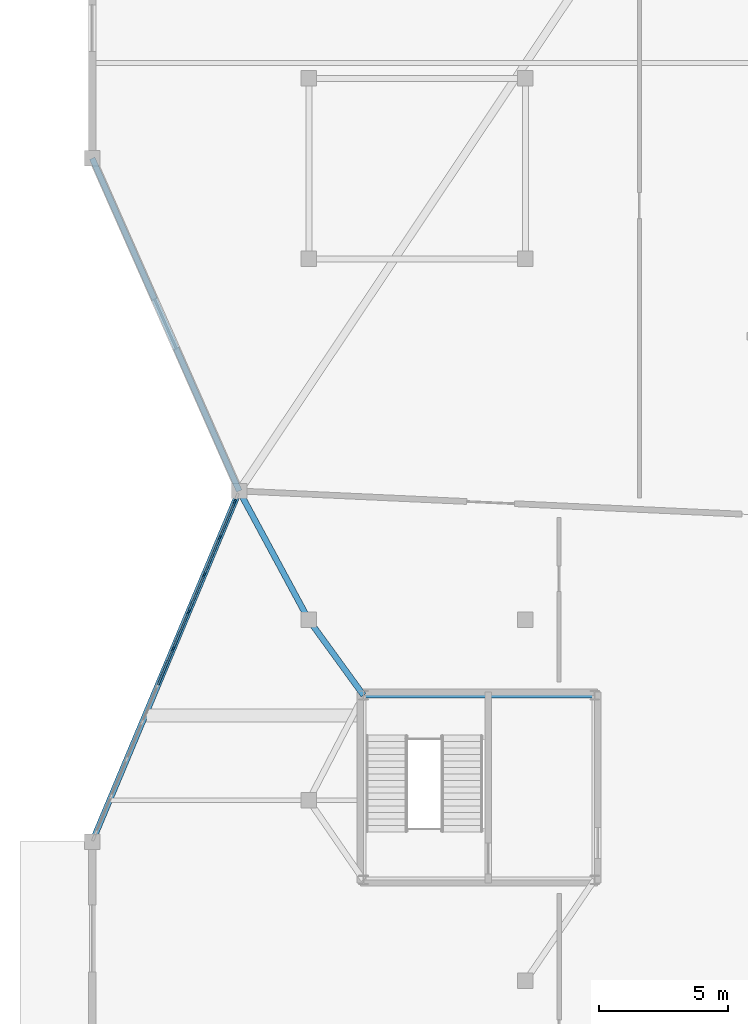
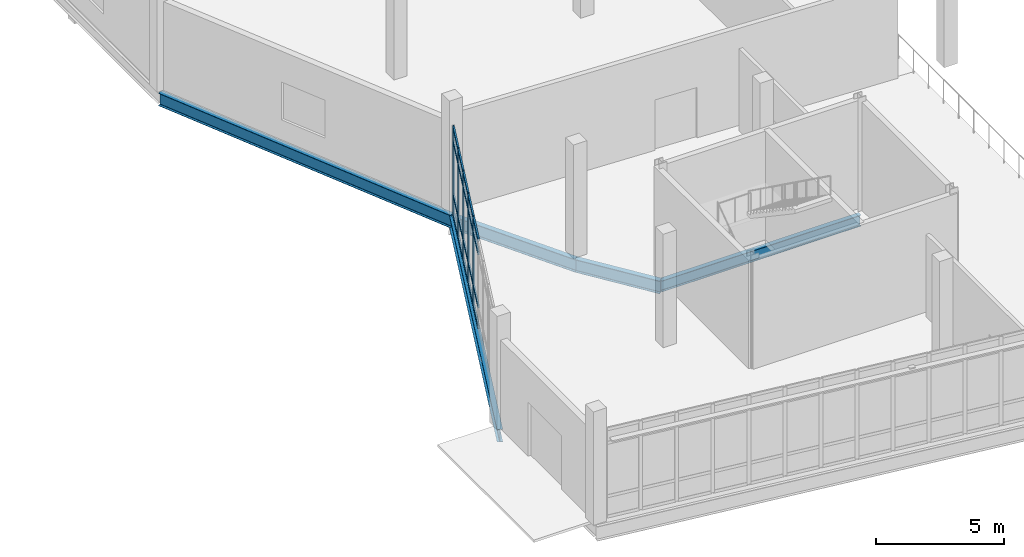
# One storey, part 45 of 113: 25 members, 5 beams, 1 element without a shape of its own.
"""IFC4 building model written with IfcOpenShell, lengths in metres."""

from ifc_helpers import new_model, si_unit, direction, frame, origin, origin_2d, place, context, subcontext, project, spatial, rectangle, i_section, extrude, material, material_profile, profile_set, type_object, element, aggregate, save


model = new_model("IFC4")

# Units and contexts
model_context = context("Model", 3, precision=1e-05, world=origin(), true_north=direction((0.0, 1.0)))
body_context = subcontext(model_context, "Body", "Model", "MODEL_VIEW")
ifc_project = project(units=[si_unit("LENGTHUNIT", "METRE"), si_unit("AREAUNIT", "SQUARE_METRE"), si_unit("VOLUMEUNIT", "CUBIC_METRE"), si_unit("PLANEANGLEUNIT", "RADIAN"), si_unit("MASSUNIT", "GRAM", prefix="KILO")], contexts=[model_context])

# Site, building, storey
site_placement = place(None, origin())
site = spatial("IfcSite", under=ifc_project, at=site_placement, CompositionType="ELEMENT")
building_placement = place(site_placement, origin())
building = spatial("IfcBuilding", under=site, at=building_placement, Name="Tameran Prism Museum", CompositionType="ELEMENT")
storey_placement = place(building_placement, origin())
storey = spatial("IfcBuildingStorey", under=building, at=storey_placement, Name="L00", CompositionType="ELEMENT", Elevation=0.0)

# Beams
ifc_material_1 = material(Name="Steel Grade 300PLUS (300 MPa)", Category="steel")
ifc_material_profile_1 = material_profile(ifc_material_1, i_section(OverallWidth=0.208984375, OverallDepth=0.528076171875, WebThickness=0.009521484375, FlangeThickness=0.01318359375, FilletRadius=0.013916015625, at=origin_2d()))
ifc_profile_set_1 = profile_set([ifc_material_profile_1])
beam_type_1 = type_object("IfcBeamType", Name="BM-SP530B", PredefinedType="SPANDREL", material=ifc_profile_set_1)
beam_1_placement = place(storey_placement, frame((19.47998046875, 81.080078125, -0.52392578125), z_axis=(-1.0, 0.0, 0.0), x_axis=(0.0, -1.0, 0.0)))
element("IfcBeam", 1, at=beam_1_placement, inside=storey, type_object=beam_type_1, Name="Core Ring Beam CTB-0136", PredefinedType="SPANDREL", context=body_context, shape_type="SweptSolid", body=[
    extrude(i_section(OverallWidth=0.208984375, OverallDepth=0.528076171875, WebThickness=0.009521484375, FlangeThickness=0.01318359375, FilletRadius=0.013916015625, at=origin_2d()), origin(), (0.0, 0.0, 1.0), 8.9599609375),
])
ifc_material_2 = material(Name="Steel Grade 300PLUS (300 MPa)", Category="steel")
ifc_material_profile_2 = material_profile(ifc_material_2, i_section(OverallWidth=0.22802734375, OverallDepth=0.60205078125, WebThickness=0.010498046875, FlangeThickness=0.014892578125, FilletRadius=0.013916015625, at=origin_2d()))
ifc_profile_set_2 = profile_set([ifc_material_profile_2])
beam_type_2 = type_object("IfcBeamType", Name="BM-SP610", PredefinedType="SPANDREL", material=ifc_profile_set_2)
beam_2_placement = place(storey_placement, frame((5.699951171875, 89.0, -0.56103515625), z_axis=(-0.386535452216, -0.922274549242, 0.0), x_axis=(0.922274549242, -0.386535452216, 0.0)))
element("IfcBeam", 2, at=beam_2_placement, inside=storey, type_object=beam_type_2, Name="Perimeter Spandrel SP-0089", PredefinedType="SPANDREL", context=body_context, shape_type="SweptSolid", body=[
    extrude(i_section(OverallWidth=0.22802734375, OverallDepth=0.60205078125, WebThickness=0.010498046875, FlangeThickness=0.014892578125, FilletRadius=0.013916015625, at=origin_2d()), origin(), (0.0, 0.0, 1.0), 14.746337890625),
])
beam_3_placement = place(storey_placement, frame((0.0, 101.89990234375, -0.56103515625), z_axis=(0.404163511498, -0.914686752924, 0.0), x_axis=(0.914686752924, 0.404163511498, 0.0)))
element("IfcBeam", 3, at=beam_3_placement, inside=storey, type_object=beam_type_2, Name="Perimeter Spandrel SP-0093", PredefinedType="SPANDREL", context=body_context, shape_type="SweptSolid", body=[
    extrude(i_section(OverallWidth=0.22802734375, OverallDepth=0.60205078125, WebThickness=0.010498046875, FlangeThickness=0.014892578125, FilletRadius=0.013916015625, at=origin_2d()), origin(), (0.0, 0.0, 1.0), 14.10302734375),
])
ifc_material_3 = material(Name="Steel Grade 300PLUS (300 MPa)", Category="steel")
ifc_material_profile_3 = material_profile(ifc_material_3, i_section(OverallWidth=0.22900390625, OverallDepth=0.612060546875, WebThickness=0.011962890625, FlangeThickness=0.01953125, FilletRadius=0.013916015625, at=origin_2d()))
ifc_profile_set_3 = profile_set([ifc_material_profile_3])
beam_type_3 = type_object("IfcBeamType", Name="BM-UB610A", PredefinedType="BEAM", material=ifc_profile_set_3)
beam_4_placement = place(storey_placement, frame((8.39990234375, 84.0, -0.56591796875), z_axis=(0.58754394492, -0.809192259471, 0.0), x_axis=(0.809192259471, 0.58754394492, 0.0)))
element("IfcBeam", 4, at=beam_4_placement, inside=storey, type_object=beam_type_3, Name="Frame Tie Girder FG-1349", PredefinedType="BEAM", context=body_context, shape_type="SweptSolid", body=[
    extrude(i_section(OverallWidth=0.22900390625, OverallDepth=0.612060546875, WebThickness=0.011962890625, FlangeThickness=0.01953125, FilletRadius=0.013916015625, at=origin_2d()), origin(), (0.0, 0.0, 1.0), 3.6083984375),
])
beam_5_placement = place(storey_placement, frame((8.39990234375, 84.0, -0.56591796875), z_axis=(-0.47514226184, 0.879908990188, 0.0), x_axis=(-0.879908990188, -0.47514226184, 0.0)))
element("IfcBeam", 5, at=beam_5_placement, inside=storey, type_object=beam_type_3, Name="Frame Tie Girder FG-1350", PredefinedType="BEAM", context=body_context, shape_type="SweptSolid", body=[
    extrude(i_section(OverallWidth=0.22900390625, OverallDepth=0.612060546875, WebThickness=0.011962890625, FlangeThickness=0.01953125, FilletRadius=0.013916015625, at=origin_2d()), origin(), (0.0, 0.0, 1.0), 5.682373046875),
])

# Curtain wall, members
ifc_material_4 = material(Name="Anodised Aluminium 6063-T6 and Cyclone Solar Glass", Category="aluminium")
curtain_wall_type = type_object("IfcCurtainWallType", Name="CW-FAC-1399x422", PredefinedType="USERDEFINED", material=ifc_material_4)
curtain_wall_placement = place(storey_placement, origin())
curtain_wall = element("IfcCurtainWall", 6, at=curtain_wall_placement, inside=storey, type_object=curtain_wall_type, Name="Unitised Curtain Wall CW-052", ObjectType="UNITISED CURTAIN WALL", PredefinedType="USERDEFINED")
ifc_material_5 = material(Name="Anodised Aluminium Alloy 6063-T6", Category="aluminium")
ifc_material_profile_4 = material_profile(ifc_material_5, rectangle(XDim=0.070068359375, YDim=0.179931640625, at=origin_2d()))
ifc_profile_set_4 = profile_set([ifc_material_profile_4])
member_type_1 = type_object("IfcMemberType", Name="CW-MUL-B", PredefinedType="MULLION", material=ifc_profile_set_4)
member_1_placement = place(storey_placement, frame((3.138916015625, 82.88916015625, 0.0), z_axis=(0.0, 0.0, 1.0), x_axis=(-0.922251949595, 0.386589370609, 0.0)))
member_1 = element("IfcMember", 7, at=member_1_placement, type_object=member_type_1, Name="CW-052 mullion 6", PredefinedType="MULLION", context=body_context, shape_type="SweptSolid", body=[
    extrude(rectangle(XDim=0.070068359375, YDim=0.179931640625, at=origin_2d()), origin(), (0.0, 0.0, 1.0), 4.219970703125),
])
member_2_placement = place(storey_placement, frame((3.73974609375, 84.322265625, 0.0), z_axis=(0.0, 0.0, 1.0), x_axis=(-0.922251949595, 0.386589370609, 0.0)))
member_2 = element("IfcMember", 8, at=member_2_placement, type_object=member_type_1, Name="CW-052 mullion 7", PredefinedType="MULLION", context=body_context, shape_type="SweptSolid", body=[
    extrude(rectangle(XDim=0.070068359375, YDim=0.179931640625, at=origin_2d()), origin(), (0.0, 0.0, 1.0), 4.219970703125),
])
member_3_placement = place(storey_placement, frame((4.34033203125, 85.755615234375, 0.0), z_axis=(0.0, 0.0, 1.0), x_axis=(-0.922251949595, 0.386589370609, 0.0)))
member_3 = element("IfcMember", 9, at=member_3_placement, type_object=member_type_1, Name="CW-052 mullion 8", PredefinedType="MULLION", context=body_context, shape_type="SweptSolid", body=[
    extrude(rectangle(XDim=0.070068359375, YDim=0.179931640625, at=origin_2d()), origin(), (0.0, 0.0, 1.0), 4.219970703125),
])
member_4_placement = place(storey_placement, frame((4.941162109375, 87.188720703125, 0.0), z_axis=(0.0, 0.0, 1.0), x_axis=(-0.922251949595, 0.386589370609, 0.0)))
member_4 = element("IfcMember", 10, at=member_4_placement, type_object=member_type_1, Name="CW-052 mullion 9", PredefinedType="MULLION", context=body_context, shape_type="SweptSolid", body=[
    extrude(rectangle(XDim=0.070068359375, YDim=0.179931640625, at=origin_2d()), origin(), (0.0, 0.0, 1.0), 4.219970703125),
])
member_5_placement = place(storey_placement, frame((5.528564453125, 88.589599609375, 0.0), z_axis=(0.0, 0.0, 1.0), x_axis=(-0.922251949595, 0.386589370609, 0.0)))
member_5 = element("IfcMember", 11, at=member_5_placement, type_object=member_type_1, Name="CW-052 mullion 10", PredefinedType="MULLION", context=body_context, shape_type="SweptSolid", body=[
    extrude(rectangle(XDim=0.070068359375, YDim=0.179931640625, at=origin_2d()), origin(), (0.0, 0.0, 1.0), 4.219970703125),
])
ifc_material_6 = material(Name="Anodised Aluminium Alloy 6063-T6", Category="aluminium")
ifc_material_profile_5 = material_profile(ifc_material_6, rectangle(XDim=0.070068359375, YDim=0.155029296875, at=origin_2d()))
ifc_profile_set_5 = profile_set([ifc_material_profile_5])
member_type_2 = type_object("IfcMemberType", Name="CW-TRN-B", PredefinedType="USERDEFINED", material=ifc_profile_set_5)
member_6_placement = place(storey_placement, frame((2.5517578125, 81.48828125, 0.034912109375), z_axis=(0.386460368686, 0.922306013986, 0.0), x_axis=(-0.922306013986, 0.386460368686, 0.0)))
member_6 = element("IfcMember", 12, at=member_6_placement, type_object=member_type_2, Name="CW-052 transom 5.1", ObjectType="TRANSOM", PredefinedType="USERDEFINED", context=body_context, shape_type="SweptSolid", body=[
    extrude(rectangle(XDim=0.070068359375, YDim=0.155029296875, at=origin_2d()), origin(), (0.0, 0.0, 1.0), 1.48388671875),
])
member_7_placement = place(storey_placement, frame((2.5517578125, 81.48828125, 1.0), z_axis=(0.386460368686, 0.922306013986, 0.0), x_axis=(-0.922306013986, 0.386460368686, 0.0)))
member_7 = element("IfcMember", 13, at=member_7_placement, type_object=member_type_2, Name="CW-052 transom 5.2", ObjectType="TRANSOM", PredefinedType="USERDEFINED", context=body_context, shape_type="SweptSolid", body=[
    extrude(rectangle(XDim=0.070068359375, YDim=0.155029296875, at=origin_2d()), origin(), (0.0, 0.0, 1.0), 1.48388671875),
])
member_8_placement = place(storey_placement, frame((2.5517578125, 81.48828125, 3.5400390625), z_axis=(0.386460368686, 0.922306013986, 0.0), x_axis=(-0.922306013986, 0.386460368686, 0.0)))
member_8 = element("IfcMember", 14, at=member_8_placement, type_object=member_type_2, Name="CW-052 transom 5.3", ObjectType="TRANSOM", PredefinedType="USERDEFINED", context=body_context, shape_type="SweptSolid", body=[
    extrude(rectangle(XDim=0.070068359375, YDim=0.155029296875, at=origin_2d()), origin(), (0.0, 0.0, 1.0), 1.48388671875),
])
member_9_placement = place(storey_placement, frame((2.5517578125, 81.48828125, 4.18505859375), z_axis=(0.386460368686, 0.922306013986, 0.0), x_axis=(-0.922306013986, 0.386460368686, 0.0)))
member_9 = element("IfcMember", 15, at=member_9_placement, type_object=member_type_2, Name="CW-052 transom 5.4", ObjectType="TRANSOM", PredefinedType="USERDEFINED", context=body_context, shape_type="SweptSolid", body=[
    extrude(rectangle(XDim=0.070068359375, YDim=0.155029296875, at=origin_2d()), origin(), (0.0, 0.0, 1.0), 1.48388671875),
])
member_10_placement = place(storey_placement, frame((3.15234375, 82.92138671875, 0.034912109375), z_axis=(0.386600305056, 0.92224736602, 0.0), x_axis=(-0.92224736602, 0.386600305056, 0.0)))
member_10 = element("IfcMember", 16, at=member_10_placement, type_object=member_type_2, Name="CW-052 transom 6.1", ObjectType="TRANSOM", PredefinedType="USERDEFINED", context=body_context, shape_type="SweptSolid", body=[
    extrude(rectangle(XDim=0.070068359375, YDim=0.155029296875, at=origin_2d()), origin(), (0.0, 0.0, 1.0), 1.484130859375),
])
member_11_placement = place(storey_placement, frame((3.15234375, 82.92138671875, 1.0), z_axis=(0.386600305056, 0.92224736602, 0.0), x_axis=(-0.92224736602, 0.386600305056, 0.0)))
member_11 = element("IfcMember", 17, at=member_11_placement, type_object=member_type_2, Name="CW-052 transom 6.2", ObjectType="TRANSOM", PredefinedType="USERDEFINED", context=body_context, shape_type="SweptSolid", body=[
    extrude(rectangle(XDim=0.070068359375, YDim=0.155029296875, at=origin_2d()), origin(), (0.0, 0.0, 1.0), 1.484130859375),
])
member_12_placement = place(storey_placement, frame((3.15234375, 82.92138671875, 3.5400390625), z_axis=(0.386600305056, 0.92224736602, 0.0), x_axis=(-0.92224736602, 0.386600305056, 0.0)))
member_12 = element("IfcMember", 18, at=member_12_placement, type_object=member_type_2, Name="CW-052 transom 6.3", ObjectType="TRANSOM", PredefinedType="USERDEFINED", context=body_context, shape_type="SweptSolid", body=[
    extrude(rectangle(XDim=0.070068359375, YDim=0.155029296875, at=origin_2d()), origin(), (0.0, 0.0, 1.0), 1.484130859375),
])
member_13_placement = place(storey_placement, frame((3.15234375, 82.92138671875, 4.18505859375), z_axis=(0.386600305056, 0.92224736602, 0.0), x_axis=(-0.92224736602, 0.386600305056, 0.0)))
member_13 = element("IfcMember", 19, at=member_13_placement, type_object=member_type_2, Name="CW-052 transom 6.4", ObjectType="TRANSOM", PredefinedType="USERDEFINED", context=body_context, shape_type="SweptSolid", body=[
    extrude(rectangle(XDim=0.070068359375, YDim=0.155029296875, at=origin_2d()), origin(), (0.0, 0.0, 1.0), 1.484130859375),
])
member_14_placement = place(storey_placement, frame((3.753173828125, 84.3544921875, 0.034912109375), z_axis=(0.38654165832, 0.922271948171, 0.0), x_axis=(-0.922271948171, 0.38654165832, 0.0)))
member_14 = element("IfcMember", 20, at=member_14_placement, type_object=member_type_2, Name="CW-052 transom 7.1", ObjectType="TRANSOM", PredefinedType="USERDEFINED", context=body_context, shape_type="SweptSolid", body=[
    extrude(rectangle(XDim=0.070068359375, YDim=0.155029296875, at=origin_2d()), origin(), (0.0, 0.0, 1.0), 1.484375),
])
member_15_placement = place(storey_placement, frame((3.753173828125, 84.3544921875, 1.0), z_axis=(0.38654165832, 0.922271948171, 0.0), x_axis=(-0.922271948171, 0.38654165832, 0.0)))
member_15 = element("IfcMember", 21, at=member_15_placement, type_object=member_type_2, Name="CW-052 transom 7.2", ObjectType="TRANSOM", PredefinedType="USERDEFINED", context=body_context, shape_type="SweptSolid", body=[
    extrude(rectangle(XDim=0.070068359375, YDim=0.155029296875, at=origin_2d()), origin(), (0.0, 0.0, 1.0), 1.484375),
])
member_16_placement = place(storey_placement, frame((3.753173828125, 84.3544921875, 3.5400390625), z_axis=(0.38654165832, 0.922271948171, 0.0), x_axis=(-0.922271948171, 0.38654165832, 0.0)))
member_16 = element("IfcMember", 22, at=member_16_placement, type_object=member_type_2, Name="CW-052 transom 7.3", ObjectType="TRANSOM", PredefinedType="USERDEFINED", context=body_context, shape_type="SweptSolid", body=[
    extrude(rectangle(XDim=0.070068359375, YDim=0.155029296875, at=origin_2d()), origin(), (0.0, 0.0, 1.0), 1.484375),
])
member_17_placement = place(storey_placement, frame((3.753173828125, 84.3544921875, 4.18505859375), z_axis=(0.38654165832, 0.922271948171, 0.0), x_axis=(-0.922271948171, 0.38654165832, 0.0)))
member_17 = element("IfcMember", 23, at=member_17_placement, type_object=member_type_2, Name="CW-052 transom 7.4", ObjectType="TRANSOM", PredefinedType="USERDEFINED", context=body_context, shape_type="SweptSolid", body=[
    extrude(rectangle(XDim=0.070068359375, YDim=0.155029296875, at=origin_2d()), origin(), (0.0, 0.0, 1.0), 1.484375),
])
member_18_placement = place(storey_placement, frame((4.35400390625, 85.787841796875, 0.034912109375), z_axis=(0.386600305056, 0.92224736602, 0.0), x_axis=(-0.92224736602, 0.386600305056, 0.0)))
member_18 = element("IfcMember", 24, at=member_18_placement, type_object=member_type_2, Name="CW-052 transom 8.1", ObjectType="TRANSOM", PredefinedType="USERDEFINED", context=body_context, shape_type="SweptSolid", body=[
    extrude(rectangle(XDim=0.070068359375, YDim=0.155029296875, at=origin_2d()), origin(), (0.0, 0.0, 1.0), 1.484130859375),
])
member_19_placement = place(storey_placement, frame((4.35400390625, 85.787841796875, 1.0), z_axis=(0.386600305056, 0.92224736602, 0.0), x_axis=(-0.92224736602, 0.386600305056, 0.0)))
member_19 = element("IfcMember", 25, at=member_19_placement, type_object=member_type_2, Name="CW-052 transom 8.2", ObjectType="TRANSOM", PredefinedType="USERDEFINED", context=body_context, shape_type="SweptSolid", body=[
    extrude(rectangle(XDim=0.070068359375, YDim=0.155029296875, at=origin_2d()), origin(), (0.0, 0.0, 1.0), 1.484130859375),
])
member_20_placement = place(storey_placement, frame((4.35400390625, 85.787841796875, 3.5400390625), z_axis=(0.386600305056, 0.92224736602, 0.0), x_axis=(-0.92224736602, 0.386600305056, 0.0)))
member_20 = element("IfcMember", 26, at=member_20_placement, type_object=member_type_2, Name="CW-052 transom 8.3", ObjectType="TRANSOM", PredefinedType="USERDEFINED", context=body_context, shape_type="SweptSolid", body=[
    extrude(rectangle(XDim=0.070068359375, YDim=0.155029296875, at=origin_2d()), origin(), (0.0, 0.0, 1.0), 1.484130859375),
])
member_21_placement = place(storey_placement, frame((4.35400390625, 85.787841796875, 4.18505859375), z_axis=(0.386600305056, 0.92224736602, 0.0), x_axis=(-0.92224736602, 0.386600305056, 0.0)))
member_21 = element("IfcMember", 27, at=member_21_placement, type_object=member_type_2, Name="CW-052 transom 8.4", ObjectType="TRANSOM", PredefinedType="USERDEFINED", context=body_context, shape_type="SweptSolid", body=[
    extrude(rectangle(XDim=0.070068359375, YDim=0.155029296875, at=origin_2d()), origin(), (0.0, 0.0, 1.0), 1.484130859375),
])
member_22_placement = place(storey_placement, frame((4.954833984375, 87.220947265625, 0.034912109375), z_axis=(0.386504801504, 0.922287394696, 0.0), x_axis=(-0.922287394696, 0.386504801504, 0.0)))
member_22 = element("IfcMember", 28, at=member_22_placement, type_object=member_type_2, Name="CW-052 transom 9.1", ObjectType="TRANSOM", PredefinedType="USERDEFINED", context=body_context, shape_type="SweptSolid", body=[
    extrude(rectangle(XDim=0.070068359375, YDim=0.155029296875, at=origin_2d()), origin(), (0.0, 0.0, 1.0), 1.448974609375),
])
member_23_placement = place(storey_placement, frame((4.954833984375, 87.220947265625, 1.0), z_axis=(0.386504801504, 0.922287394696, 0.0), x_axis=(-0.922287394696, 0.386504801504, 0.0)))
member_23 = element("IfcMember", 29, at=member_23_placement, type_object=member_type_2, Name="CW-052 transom 9.2", ObjectType="TRANSOM", PredefinedType="USERDEFINED", context=body_context, shape_type="SweptSolid", body=[
    extrude(rectangle(XDim=0.070068359375, YDim=0.155029296875, at=origin_2d()), origin(), (0.0, 0.0, 1.0), 1.448974609375),
])
member_24_placement = place(storey_placement, frame((4.954833984375, 87.220947265625, 3.5400390625), z_axis=(0.386504801504, 0.922287394696, 0.0), x_axis=(-0.922287394696, 0.386504801504, 0.0)))
member_24 = element("IfcMember", 30, at=member_24_placement, type_object=member_type_2, Name="CW-052 transom 9.3", ObjectType="TRANSOM", PredefinedType="USERDEFINED", context=body_context, shape_type="SweptSolid", body=[
    extrude(rectangle(XDim=0.070068359375, YDim=0.155029296875, at=origin_2d()), origin(), (0.0, 0.0, 1.0), 1.448974609375),
])
member_25_placement = place(storey_placement, frame((4.954833984375, 87.220947265625, 4.18505859375), z_axis=(0.386504801504, 0.922287394696, 0.0), x_axis=(-0.922287394696, 0.386504801504, 0.0)))
member_25 = element("IfcMember", 31, at=member_25_placement, type_object=member_type_2, Name="CW-052 transom 9.4", ObjectType="TRANSOM", PredefinedType="USERDEFINED", context=body_context, shape_type="SweptSolid", body=[
    extrude(rectangle(XDim=0.070068359375, YDim=0.155029296875, at=origin_2d()), origin(), (0.0, 0.0, 1.0), 1.448974609375),
])
aggregate(curtain_wall, [member_1, member_2, member_3, member_4, member_5, member_6, member_7, member_8, member_9, member_10, member_11, member_12, member_13, member_14, member_15, member_16, member_17, member_18, member_19, member_20, member_21, member_22, member_23, member_24, member_25])

save(model, "model.ifc")
